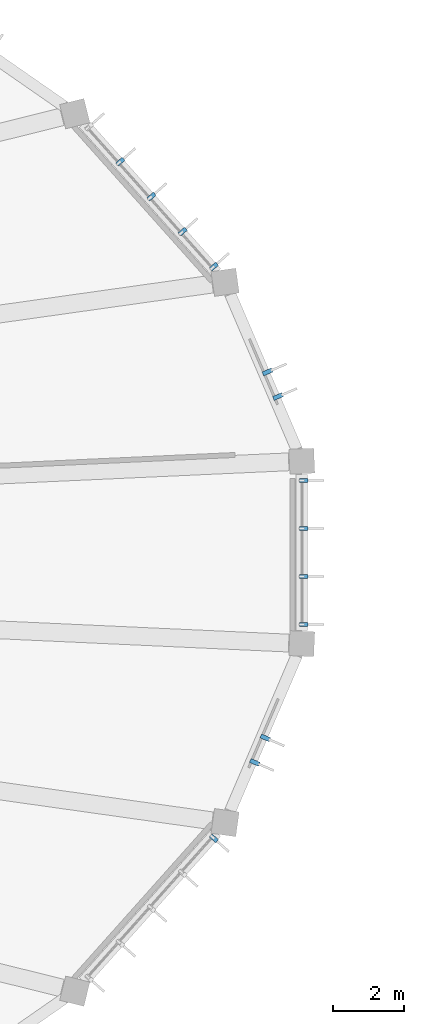
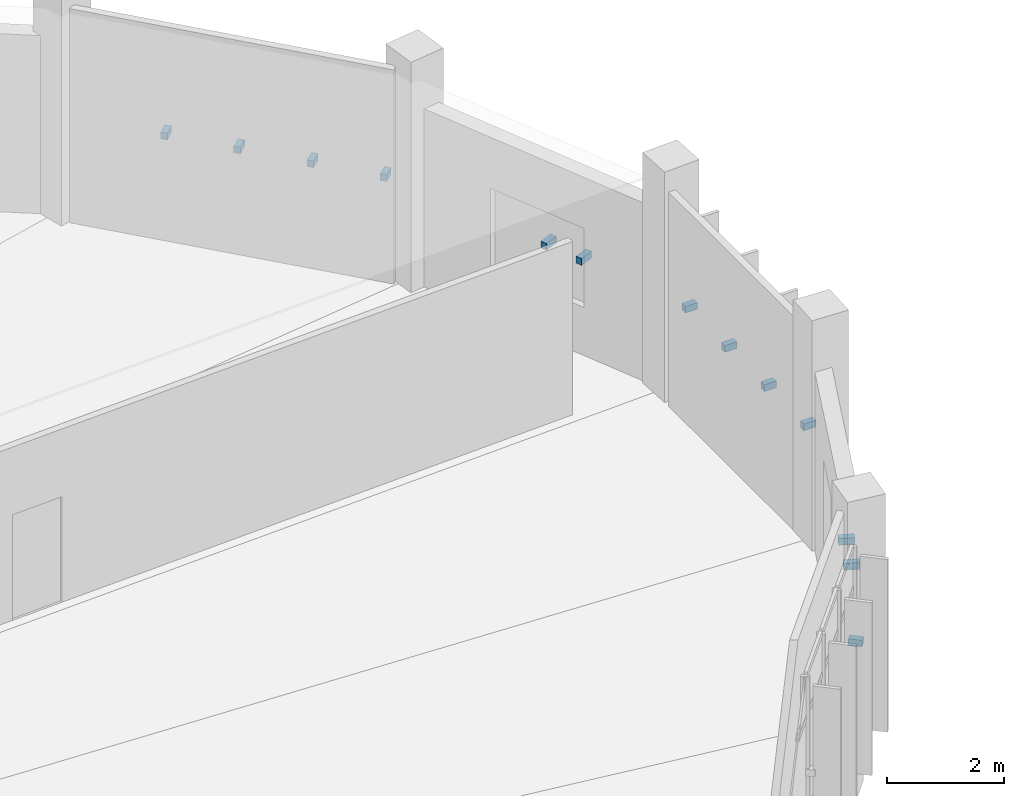
# One storey, part 146 of 179: 13 discrete accessories.
"""IFC4 building model written with IfcOpenShell, lengths in metres."""

from ifc_helpers import new_model, si_unit, direction, frame, origin, origin_2d, place, context, subcontext, project, spatial, rectangle, extrude, material, type_object, element, save


model = new_model("IFC4")

# Units and contexts
model_context = context("Model", 3, precision=1e-05, world=origin(), true_north=direction((0.0, 1.0)))
body_context = subcontext(model_context, "Body", "Model", "MODEL_VIEW")
ifc_project = project(units=[si_unit("LENGTHUNIT", "METRE"), si_unit("AREAUNIT", "SQUARE_METRE"), si_unit("VOLUMEUNIT", "CUBIC_METRE"), si_unit("PLANEANGLEUNIT", "RADIAN"), si_unit("MASSUNIT", "GRAM", prefix="KILO")], contexts=[model_context])

# Site, building, storey
site_placement = place(None, origin())
site = spatial("IfcSite", under=ifc_project, at=site_placement, CompositionType="ELEMENT")
building_placement = place(site_placement, origin())
building = spatial("IfcBuilding", under=site, at=building_placement, Name="Corvandel Quay Wholesale Market", CompositionType="ELEMENT")
storey_placement = place(building_placement, frame((0.0, 0.0, 6.0)))
storey = spatial("IfcBuildingStorey", under=building, at=storey_placement, Name="L01", CompositionType="ELEMENT", Elevation=6.0)

# Discrete accessories
ifc_material = material(Name="Austenitic stainless steel Grade 316", Category="steel")
discrete_accessory_type = type_object("IfcDiscreteAccessoryType", Name="Stainless Solar Fin Fixing Bracket BRK01", PredefinedType="USERDEFINED", material=ifc_material)
for number, where, z_axis, x_axis, name in (
    (1, (169.3310546875, 120.376220703125, 1.7548828125), (0.0, 0.0, 1.0), (0.919204081089, 0.393781484212, 0.0), "Fin Bracket 0418"),
    (2, (169.03564453125, 121.065673828125, 1.7548828125), (0.0, 0.0, 1.0), (0.919204081089, 0.393781484212, 0.0), "Fin Bracket 0419"),
):
    element("IfcDiscreteAccessory", number, at=place(storey_placement, frame(where, z_axis=z_axis, x_axis=x_axis)), inside=storey, type_object=discrete_accessory_type, Name=name, ObjectType="BRACKET", PredefinedType="USERDEFINED", context=body_context, shape_type="SweptSolid", body=[
        extrude(rectangle(XDim=0.280029296875, YDim=0.1201171875, at=origin_2d()), origin(), (0.0, 0.0, 1.0), 0.139892578125),
    ])
for number, where, z_axis, x_axis, name in (
    (3, (167.533447265625, 124.02685546875, 1.9052734375), (0.0, 0.0, 1.0), (0.746289766155, 0.665621202286, 0.0), "Fin Bracket 0424"),
    (4, (166.65771484375, 125.00830078125, 1.9052734375), (0.0, 0.0, 1.0), (0.746289766155, 0.665621202286, 0.0), "Fin Bracket 0425"),
    (5, (165.7822265625, 125.989990234375, 1.9052734375), (0.0, 0.0, 1.0), (0.746289766155, 0.665621202286, 0.0), "Fin Bracket 0426"),
    (6, (164.90673828125, 126.971435546875, 1.9052734375), (0.0, 0.0, 1.0), (0.746289766155, 0.665621202286, 0.0), "Fin Bracket 0427"),
    (7, (167.533447265625, 107.97314453125, 1.9052734375), (0.0, 0.0, 1.0), (-0.746289766155, 0.665621202286, 0.0), "Fin Bracket 0585"),
):
    element("IfcDiscreteAccessory", number, at=place(storey_placement, frame(where, z_axis=z_axis, x_axis=x_axis)), inside=storey, type_object=discrete_accessory_type, Name=name, ObjectType="BRACKET", PredefinedType="USERDEFINED", context=body_context, shape_type="SweptSolid", body=[
        extrude(rectangle(XDim=0.239990234375, YDim=0.1201171875, at=origin_2d()), origin(), (0.0, 0.0, 1.0), 0.139892578125),
    ])
for number, where, z_axis, x_axis, name in (
    (8, (168.68115234375, 110.1064453125, 1.80517578125), (0.0, 0.0, 1.0), (-0.919204081089, 0.393781484212, 0.0), "Fin Bracket 0590"),
    (9, (168.976318359375, 110.7958984375, 1.80517578125), (0.0, 0.0, 1.0), (-0.919204081089, 0.393781484212, 0.0), "Fin Bracket 0591"),
):
    element("IfcDiscreteAccessory", number, at=place(storey_placement, frame(where, z_axis=z_axis, x_axis=x_axis)), inside=storey, type_object=discrete_accessory_type, Name=name, ObjectType="BRACKET", PredefinedType="USERDEFINED", context=body_context, shape_type="SweptSolid", body=[
        extrude(rectangle(XDim=0.280029296875, YDim=0.1201171875, at=origin_2d()), origin(), (0.0, 0.0, 1.0), 0.139892578125),
    ])
for number, where, z_axis, x_axis, name in (
    (10, (170.06005859375, 113.97900390625, 1.9052734375), (0.0, 0.0, 1.0), (1.0, 0.0, 0.0), "Fin Bracket 0596"),
    (11, (170.06005859375, 115.326416015625, 1.9052734375), (0.0, 0.0, 1.0), (1.0, 0.0, 0.0), "Fin Bracket 0597"),
    (12, (170.06005859375, 116.673583984375, 1.9052734375), (0.0, 0.0, 1.0), (1.0, 0.0, 0.0), "Fin Bracket 0598"),
    (13, (170.06005859375, 118.02099609375, 1.9052734375), (0.0, 0.0, 1.0), (1.0, 0.0, 0.0), "Fin Bracket 0599"),
):
    element("IfcDiscreteAccessory", number, at=place(storey_placement, frame(where, z_axis=z_axis, x_axis=x_axis)), inside=storey, type_object=discrete_accessory_type, Name=name, ObjectType="BRACKET", PredefinedType="USERDEFINED", context=body_context, shape_type="SweptSolid", body=[
        extrude(rectangle(XDim=0.239990234375, YDim=0.1201171875, at=origin_2d()), origin(), (0.0, 0.0, 1.0), 0.139892578125),
    ])

save(model, "model.ifc")
